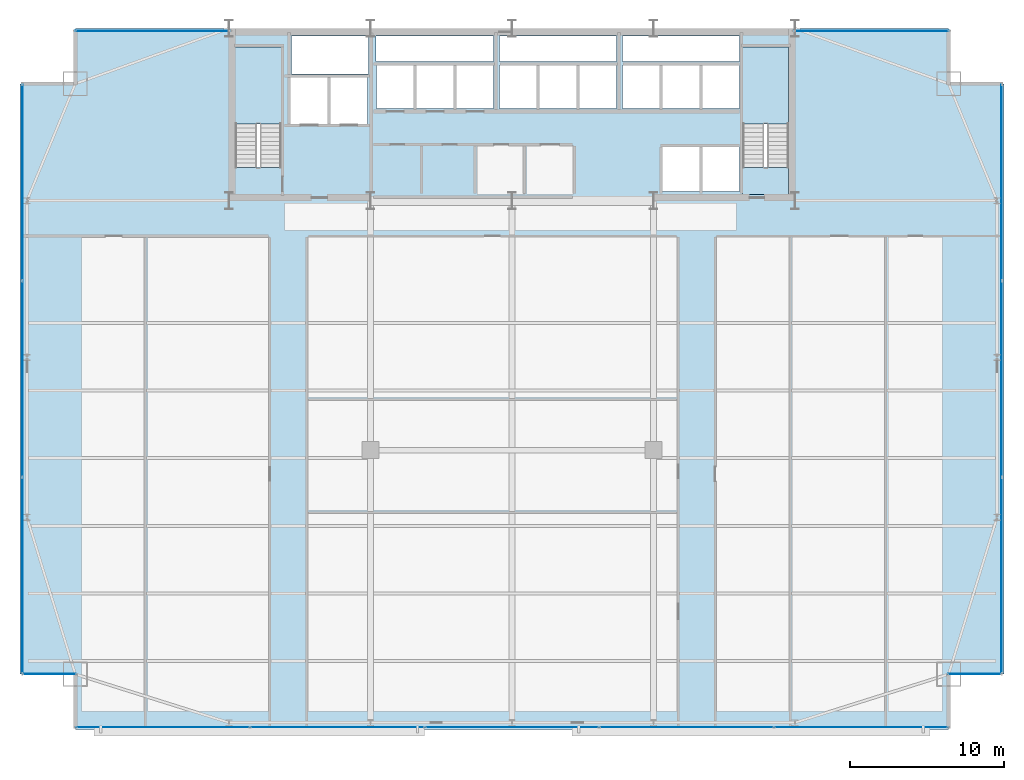
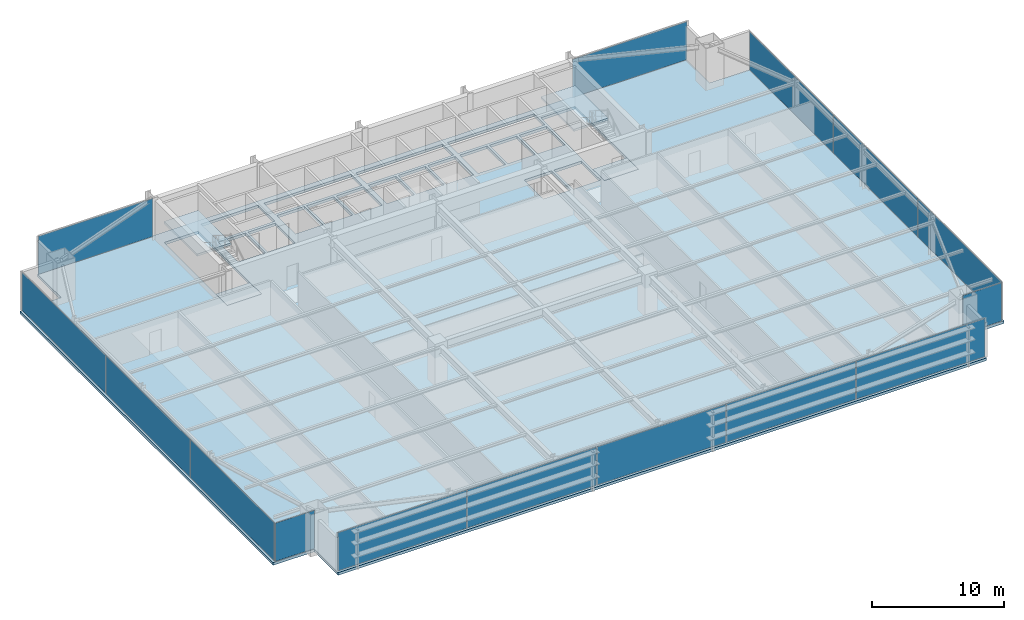
# One storey, part 25 of 32: 15 plates, 5 slabs, 9 elements without a shape of their own.
"""IFC4 building model written with IfcOpenShell, lengths in metres."""

from ifc_helpers import new_model, si_unit, direction, frame, origin, origin_2d, place, context, subcontext, project, spatial, polyline, rectangle, outline, extrude, source, transform, mapped, material, layer, layer_set, type_object, type_shapes, element, aggregate, save


model = new_model("IFC4")

# Units and contexts
model_context = context("Model", 3, precision=1e-05, world=origin(), true_north=direction((0.0, 1.0)))
body_context = subcontext(model_context, "Body", "Model", "MODEL_VIEW")
ifc_project = project(units=[si_unit("LENGTHUNIT", "METRE"), si_unit("AREAUNIT", "SQUARE_METRE"), si_unit("VOLUMEUNIT", "CUBIC_METRE"), si_unit("PLANEANGLEUNIT", "RADIAN"), si_unit("MASSUNIT", "GRAM", prefix="KILO")], contexts=[model_context])

# Site, building, storey
site_placement = place(None, origin())
site = spatial("IfcSite", under=ifc_project, at=site_placement, CompositionType="ELEMENT")
building_placement = place(site_placement, origin())
building = spatial("IfcBuilding", under=site, at=building_placement, Name="Varnel Quay Broadcast Tower", CompositionType="ELEMENT")
storey_placement = place(building_placement, frame((0.0, 0.0, 70.5)))
storey = spatial("IfcBuildingStorey", under=building, at=storey_placement, Name="L16", CompositionType="ELEMENT", Elevation=70.5)

# Slabs
ifc_material_1 = material(Name="Concrete CSA A23.3 C50/60", Category="concrete")
ifc_layer_1 = layer(ifc_material_1, 0.25, Name="Concrete CSA A23.3 C50/60")
ifc_layer_set_1 = layer_set([ifc_layer_1], Name="Concrete CSA A23.3 C50/60")
slab_type_1 = type_object("IfcSlabType", Name="Slab_Floor250", PredefinedType="FLOOR", material=ifc_layer_set_1)
slab_1_placement = place(storey_placement, frame((0.0, 0.0, -0.25)))
element("IfcSlab", 1, at=slab_1_placement, inside=storey, type_object=slab_type_1, Name="L16 Structural Slab", PredefinedType="FLOOR", context=body_context, shape_type="SweptSolid", body=[
    extrude(outline(polyline([(5.60009765625, 1.199951171875), (62.39990234375, 1.199951171875), (62.39990234375, 4.800048828125), (66.0, 4.800048828125), (66.0, 43.199951171875), (62.39990234375, 43.199951171875), (62.39990234375, 46.800048828125), (5.60009765625, 46.800048828125), (5.60009765625, 43.199951171875), (2.0, 43.199951171875), (2.0, 4.800048828125), (5.60009765625, 4.800048828125), (5.60009765625, 1.199951171875)]), holes=[polyline([(16.0, 36.0), (16.0, 45.60009765625), (19.0, 45.60009765625), (19.0, 36.0), (16.0, 36.0)]), polyline([(19.60009765625, 43.60009765625), (22.0, 43.60009765625), (22.0, 40.60009765625), (19.60009765625, 40.60009765625), (19.60009765625, 43.60009765625)]), polyline([(22.199951171875, 43.60009765625), (24.60009765625, 43.60009765625), (24.60009765625, 40.60009765625), (22.199951171875, 40.60009765625), (22.199951171875, 43.60009765625)]), polyline([(25.199951171875, 44.39990234375), (27.60009765625, 44.39990234375), (27.60009765625, 41.60009765625), (25.199951171875, 41.60009765625), (25.199951171875, 44.39990234375)]), polyline([(27.800048828125, 44.39990234375), (30.199951171875, 44.39990234375), (30.199951171875, 41.60009765625), (27.800048828125, 41.60009765625), (27.800048828125, 44.39990234375)]), polyline([(30.39990234375, 44.39990234375), (32.800048828125, 44.39990234375), (32.800048828125, 41.60009765625), (30.39990234375, 41.60009765625), (30.39990234375, 44.39990234375)]), polyline([(33.199951171875, 44.39990234375), (35.60009765625, 44.39990234375), (35.60009765625, 41.60009765625), (33.199951171875, 41.60009765625), (33.199951171875, 44.39990234375)]), polyline([(38.199951171875, 44.39990234375), (38.199951171875, 41.60009765625), (35.800048828125, 41.60009765625), (35.800048828125, 44.39990234375), (38.199951171875, 44.39990234375)]), polyline([(24.679931640625, 46.300048828125), (24.679931640625, 43.85009765625), (19.64990234375, 43.85009765625), (19.64990234375, 46.300048828125), (24.679931640625, 46.300048828125)]), polyline([(25.14990234375, 46.300048828125), (32.800048828125, 46.300048828125), (32.800048828125, 44.64990234375), (25.14990234375, 44.64990234375), (25.14990234375, 46.300048828125)]), polyline([(43.800048828125, 39.10009765625), (46.199951171875, 39.10009765625), (46.199951171875, 36.199951171875), (43.800048828125, 36.199951171875), (43.800048828125, 39.10009765625)]), polyline([(46.39990234375, 39.10009765625), (48.800048828125, 39.10009765625), (48.800048828125, 36.199951171875), (46.39990234375, 36.199951171875), (46.39990234375, 39.10009765625)]), polyline([(49.0, 45.60009765625), (52.0, 45.60009765625), (52.0, 36.0), (49.0, 36.0), (49.0, 45.60009765625)]), polyline([(40.800048828125, 44.39990234375), (40.800048828125, 41.60009765625), (38.39990234375, 41.60009765625), (38.39990234375, 44.39990234375), (40.800048828125, 44.39990234375)]), polyline([(41.199951171875, 44.39990234375), (43.60009765625, 44.39990234375), (43.60009765625, 41.60009765625), (41.199951171875, 41.60009765625), (41.199951171875, 44.39990234375)]), polyline([(43.800048828125, 44.39990234375), (46.199951171875, 44.39990234375), (46.199951171875, 41.60009765625), (43.800048828125, 41.60009765625), (43.800048828125, 44.39990234375)]), polyline([(46.39990234375, 44.39990234375), (48.800048828125, 44.39990234375), (48.800048828125, 41.60009765625), (46.39990234375, 41.60009765625), (46.39990234375, 44.39990234375)]), polyline([(40.800048828125, 46.300048828125), (40.800048828125, 44.64990234375), (33.199951171875, 44.64990234375), (33.199951171875, 46.300048828125), (40.800048828125, 46.300048828125)]), polyline([(48.800048828125, 46.300048828125), (48.800048828125, 44.64990234375), (41.199951171875, 44.64990234375), (41.199951171875, 46.300048828125), (48.800048828125, 46.300048828125)])]), origin(), (0.0, 0.0, 1.0), 0.25),
])
ifc_layer_2 = layer(ifc_material_1, 0.25, Name="Concrete CSA A23.3 C50/60")
ifc_layer_set_2 = layer_set([ifc_layer_2], Name="Concrete CSA A23.3 C50/60")
slab_type_2 = type_object("IfcSlabType", Name="Slab_StairFloorLanding250", PredefinedType="FLOOR", material=ifc_layer_set_2)
slab_2_placement = place(storey_placement, frame((0.0, 0.0, -0.25)))
element("IfcSlab", 2, at=slab_2_placement, inside=storey, type_object=slab_type_2, Name="L16 ST-01 Structural Floor Landing Slab", PredefinedType="FLOOR", context=body_context, shape_type="SweptSolid", body=[
    extrude(outline(polyline([(19.0, 36.0), (19.0, 37.75), (16.0, 37.75), (16.0, 36.0), (19.0, 36.0)])), origin(), (0.0, 0.0, 1.0), 0.25),
])
slab_3_placement = place(storey_placement, frame((0.0, 0.0, -0.25)))
element("IfcSlab", 3, at=slab_3_placement, inside=storey, type_object=slab_type_2, Name="L16 ST-02 Structural Floor Landing Slab", PredefinedType="FLOOR", context=body_context, shape_type="SweptSolid", body=[
    extrude(outline(polyline([(52.0, 36.0), (52.0, 37.75), (49.0, 37.75), (49.0, 36.0), (52.0, 36.0)])), origin(), (0.0, 0.0, 1.0), 0.25),
])

# Stair, slab
ifc_material_2 = material(Name="Precast Structural Concrete C40/50", Category="concrete")
stair_type_1 = type_object("IfcStairType", Name="Stair_ST-01", PredefinedType="HALF_TURN_STAIR", material=ifc_material_2)
stair_1_placement = place(storey_placement, origin())
stair_1 = element("IfcStair", 4, at=stair_1_placement, inside=storey, type_object=stair_type_1, Name="L16 West Core Exit Stair 1", PredefinedType="HALF_TURN_STAIR")
ifc_layer_3 = layer(ifc_material_2, 0.199951171875, Name="Precast Structural Concrete C40/50")
ifc_layer_set_3 = layer_set([ifc_layer_3], Name="Precast Structural Concrete C40/50")
slab_type_3 = type_object("IfcSlabType", Name="Slab_StairLanding200", PredefinedType="LANDING", material=ifc_layer_set_3)
slab_4_placement = place(storey_placement, frame((0.0, 0.0, 1.75)))
slab_4 = element("IfcSlab", 5, at=slab_4_placement, type_object=slab_type_3, Name="ST-01 landing 1", PredefinedType="LANDING", context=body_context, shape_type="SweptSolid", body=[
    extrude(outline(polyline([(19.0, 40.60009765625), (19.0, 45.60009765625), (16.0, 45.60009765625), (16.0, 40.60009765625), (19.0, 40.60009765625)])), origin(), (0.0, 0.0, 1.0), 0.199951171875),
])
aggregate(stair_1, [slab_4])

stair_type_2 = type_object("IfcStairType", Name="Stair_ST-02", PredefinedType="HALF_TURN_STAIR", material=ifc_material_2)
stair_2_placement = place(storey_placement, origin())
stair_2 = element("IfcStair", 6, at=stair_2_placement, inside=storey, type_object=stair_type_2, Name="L16 East Core Exit Stair 2", PredefinedType="HALF_TURN_STAIR")
slab_5_placement = place(storey_placement, frame((0.0, 0.0, 1.75)))
slab_5 = element("IfcSlab", 7, at=slab_5_placement, type_object=slab_type_3, Name="ST-02 landing 1", PredefinedType="LANDING", context=body_context, shape_type="SweptSolid", body=[
    extrude(outline(polyline([(52.0, 40.60009765625), (52.0, 45.60009765625), (49.0, 45.60009765625), (49.0, 40.60009765625), (52.0, 40.60009765625)])), origin(), (0.0, 0.0, 1.0), 0.199951171875),
])
aggregate(stair_2, [slab_5])

# Curtain wall, plate
ifc_material_3 = material(Name="Anodised Bronze Aluminium 6063-T6", Category="aluminium")
ifc_layer_4 = layer(ifc_material_3, 0.18994140625, Name="Anodised Bronze Aluminium 6063-T6")
ifc_layer_set_4 = layer_set([ifc_layer_4], Name="Anodised Bronze Aluminium 6063-T6")
curtain_wall_type_1 = type_object("IfcCurtainWallType", Name="CW_LowerTower", PredefinedType="NOTDEFINED", material=ifc_layer_set_4)
curtain_wall_1_placement = place(storey_placement, origin())
curtain_wall_1 = element("IfcCurtainWall", 8, at=curtain_wall_1_placement, inside=storey, type_object=curtain_wall_type_1, Name="L16 West Unitised Curtain Wall", PredefinedType="NOTDEFINED")
ifc_material_4 = material(Name="Insulated Bronze Spandrel Glass", Category="glass")
ifc_layer_5 = layer(ifc_material_4, 0.031982421875, Name="Insulated Bronze Spandrel Glass")
ifc_layer_set_5 = layer_set([ifc_layer_5], Name="Insulated Bronze Spandrel Glass")
plate_type_1 = type_object("IfcPlateType", Name="PanelSp_CWS-02", PredefinedType="CURTAIN_PANEL", material=ifc_layer_set_5)
shared_shape_1 = source(origin(), body_context, "Body", "SweptSolid", [
    extrude(rectangle(XDim=12.72998046875, YDim=0.031982421875, at=origin_2d()), origin(), (0.0, 0.0, 1.0), 3.530029296875),
])
plate_1_placement = place(storey_placement, frame((2.14990234375, 24.0, 0.06005859375), z_axis=(0.0, 0.0, 1.0), x_axis=(0.0, 1.0, 0.0)))
plate_1 = element("IfcPlate", 9, at=plate_1_placement, type_object=plate_type_1, Name="CWS-02 panel 2.1", PredefinedType="CURTAIN_PANEL", context=body_context, shape_type="MappedRepresentation", body=[
    mapped(shared_shape_1, transform((0.0, 0.0, 0.0), x_axis=(1.0, 0.0, 0.0), y_axis=(0.0, 1.0, 0.0), z_axis=(0.0, 0.0, 1.0), scale=1.0)),
])

curtain_wall_2_placement = place(storey_placement, origin())
curtain_wall_2 = element("IfcCurtainWall", 10, at=curtain_wall_2_placement, inside=storey, type_object=curtain_wall_type_1, Name="L16 East Unitised Curtain Wall", PredefinedType="NOTDEFINED")
plate_2_placement = place(storey_placement, frame((65.85009765625, 24.0, 0.06005859375), z_axis=(0.0, 0.0, 1.0), x_axis=(0.0, 1.0, 0.0)))
plate_2 = element("IfcPlate", 11, at=plate_2_placement, type_object=plate_type_1, Name="CWS-02 panel 2.1", PredefinedType="CURTAIN_PANEL", context=body_context, shape_type="MappedRepresentation", body=[
    mapped(shared_shape_1, transform((0.0, 0.0, 0.0), x_axis=(1.0, 0.0, 0.0), y_axis=(0.0, 1.0, 0.0), z_axis=(0.0, 0.0, 1.0), scale=1.0)),
])

ifc_layer_6 = layer(ifc_material_3, 0.18994140625, Name="Anodised Bronze Aluminium 6063-T6")
ifc_layer_set_6 = layer_set([ifc_layer_6], Name="Anodised Bronze Aluminium 6063-T6")
curtain_wall_type_2 = type_object("IfcCurtainWallType", Name="CW_NotchCorner", PredefinedType="NOTDEFINED", material=ifc_layer_set_6)
curtain_wall_3_placement = place(storey_placement, origin())
curtain_wall_3 = element("IfcCurtainWall", 12, at=curtain_wall_3_placement, inside=storey, type_object=curtain_wall_type_2, Name="L16 SW Notch Curtain Wall", PredefinedType="NOTDEFINED")
ifc_material_5 = material(Name="Triple-Glazed Bronze Low-E Architectural Glass", Category="glass")
ifc_layer_7 = layer(ifc_material_5, 0.028076171875, Name="Triple-Glazed Bronze Low-E Architectural Glass")
ifc_layer_set_7 = layer_set([ifc_layer_7], Name="Triple-Glazed Bronze Low-E Architectural Glass")
plate_type_2 = type_object("IfcPlateType", Name="Panel_CWS-04", PredefinedType="CURTAIN_PANEL", material=ifc_layer_set_7)
shared_shape_2 = source(origin(), body_context, "Body", "SweptSolid", [
    extrude(rectangle(XDim=3.409912109375, YDim=0.028076171875, at=origin_2d()), origin(), (0.0, 0.0, 1.0), 3.5400390625),
])
type_shapes(plate_type_2, [shared_shape_2])
plate_3_placement = place(storey_placement, frame((3.9150390625, 4.800048828125, 0.054931640625), z_axis=(0.0, 0.0, 1.0), x_axis=(1.0, 0.0, 0.0)))
plate_3 = element("IfcPlate", 13, at=plate_3_placement, type_object=plate_type_2, Name="CWS-04 panel 1.1", PredefinedType="CURTAIN_PANEL", context=body_context, shape_type="MappedRepresentation", body=[
    mapped(shared_shape_2, transform((0.0, 0.0, 0.0), x_axis=(1.0, 0.0, 0.0), y_axis=(0.0, 1.0, 0.0), z_axis=(0.0, 0.0, 1.0), scale=1.0)),
])
aggregate(curtain_wall_3, [plate_3])

curtain_wall_4_placement = place(storey_placement, origin())
curtain_wall_4 = element("IfcCurtainWall", 14, at=curtain_wall_4_placement, inside=storey, type_object=curtain_wall_type_2, Name="L16 SE Notch Curtain Wall", PredefinedType="NOTDEFINED")
plate_4_placement = place(storey_placement, frame((64.0849609375, 4.800048828125, 0.054931640625), z_axis=(0.0, 0.0, 1.0), x_axis=(1.0, 0.0, 0.0)))
plate_4 = element("IfcPlate", 15, at=plate_4_placement, type_object=plate_type_2, Name="CWS-04 panel 1.1", PredefinedType="CURTAIN_PANEL", context=body_context, shape_type="MappedRepresentation", body=[
    mapped(shared_shape_2, transform((0.0, 0.0, 0.0), x_axis=(1.0, 0.0, 0.0), y_axis=(0.0, 1.0, 0.0), z_axis=(0.0, 0.0, 1.0), scale=1.0)),
])
aggregate(curtain_wall_4, [plate_4])

curtain_wall_5_placement = place(storey_placement, origin())
curtain_wall_5 = element("IfcCurtainWall", 16, at=curtain_wall_5_placement, inside=storey, type_object=curtain_wall_type_1, Name="L16 NW Wing Curtain Wall", PredefinedType="NOTDEFINED")
ifc_layer_8 = layer(ifc_material_5, 0.031982421875, Name="Triple-Glazed Bronze Low-E Architectural Glass")
ifc_layer_set_8 = layer_set([ifc_layer_8], Name="Triple-Glazed Bronze Low-E Architectural Glass")
plate_type_3 = type_object("IfcPlateType", Name="Panel_CWS-02", PredefinedType="CURTAIN_PANEL", material=ifc_layer_set_8)
shared_shape_3 = source(origin(), body_context, "Body", "SweptSolid", [
    extrude(rectangle(XDim=10.0400390625, YDim=0.031982421875, at=origin_2d()), origin(), (0.0, 0.0, 1.0), 3.530029296875),
])
plate_5_placement = place(storey_placement, frame((10.610107421875, 46.64990234375, 0.06005859375), z_axis=(0.0, 0.0, 1.0), x_axis=(1.0, 0.0, 0.0)))
plate_5 = element("IfcPlate", 17, at=plate_5_placement, type_object=plate_type_3, Name="CWS-02 panel 1.1", PredefinedType="CURTAIN_PANEL", context=body_context, shape_type="MappedRepresentation", body=[
    mapped(shared_shape_3, transform((0.0, 0.0, 0.0), x_axis=(1.0, 0.0, 0.0), y_axis=(0.0, 1.0, 0.0), z_axis=(0.0, 0.0, 1.0), scale=1.0)),
])
aggregate(curtain_wall_5, [plate_5])

curtain_wall_6_placement = place(storey_placement, origin())
curtain_wall_6 = element("IfcCurtainWall", 18, at=curtain_wall_6_placement, inside=storey, type_object=curtain_wall_type_1, Name="L16 NE Wing Curtain Wall", PredefinedType="NOTDEFINED")
plate_6_placement = place(storey_placement, frame((57.389892578125, 46.64990234375, 0.06005859375), z_axis=(0.0, 0.0, 1.0), x_axis=(1.0, 0.0, 0.0)))
plate_6 = element("IfcPlate", 19, at=plate_6_placement, type_object=plate_type_3, Name="CWS-02 panel 1.1", PredefinedType="CURTAIN_PANEL", context=body_context, shape_type="MappedRepresentation", body=[
    mapped(shared_shape_3, transform((0.0, 0.0, 0.0), x_axis=(1.0, 0.0, 0.0), y_axis=(0.0, 1.0, 0.0), z_axis=(0.0, 0.0, 1.0), scale=1.0)),
])
aggregate(curtain_wall_6, [plate_6])

# Curtain wall, plates
curtain_wall_7_placement = place(storey_placement, origin())
curtain_wall_7 = element("IfcCurtainWall", 20, at=curtain_wall_7_placement, inside=storey, type_object=curtain_wall_type_1, Name="L16 South Unitised Curtain Wall 1", PredefinedType="NOTDEFINED")
shared_shape_4 = source(origin(), body_context, "Body", "SweptSolid", [
    extrude(rectangle(XDim=11.2548828125, YDim=0.031982421875, at=origin_2d()), origin(), (0.0, 0.0, 1.0), 3.530029296875),
])
plate_7_placement = place(storey_placement, frame((11.297607421875, 1.35009765625, 0.06005859375), z_axis=(0.0, 0.0, 1.0), x_axis=(1.0, 0.0, 0.0)))
plate_7 = element("IfcPlate", 21, at=plate_7_placement, type_object=plate_type_3, Name="CWS-02 panel 1.1", PredefinedType="CURTAIN_PANEL", context=body_context, shape_type="MappedRepresentation", body=[
    mapped(shared_shape_4, transform((0.0, 0.0, 0.0), x_axis=(1.0, 0.0, 0.0), y_axis=(0.0, 1.0, 0.0), z_axis=(0.0, 0.0, 1.0), scale=1.0)),
])
plate_8_placement = place(storey_placement, frame((56.702392578125, 1.35009765625, 0.06005859375), z_axis=(0.0, 0.0, 1.0), x_axis=(1.0, 0.0, 0.0)))
plate_8 = element("IfcPlate", 22, at=plate_8_placement, type_object=plate_type_3, Name="CWS-02 panel 5.1", PredefinedType="CURTAIN_PANEL", context=body_context, shape_type="MappedRepresentation", body=[
    mapped(shared_shape_4, transform((0.0, 0.0, 0.0), x_axis=(1.0, 0.0, 0.0), y_axis=(0.0, 1.0, 0.0), z_axis=(0.0, 0.0, 1.0), scale=1.0)),
])
shared_shape_5 = source(origin(), body_context, "Body", "SweptSolid", [
    extrude(rectangle(XDim=11.2900390625, YDim=0.031982421875, at=origin_2d()), origin(), (0.0, 0.0, 1.0), 3.530029296875),
])
type_shapes(plate_type_1, [shared_shape_1, shared_shape_5])
plate_9_placement = place(storey_placement, frame((22.639892578125, 1.35009765625, 0.06005859375), z_axis=(0.0, 0.0, 1.0), x_axis=(1.0, 0.0, 0.0)))
plate_9 = element("IfcPlate", 23, at=plate_9_placement, type_object=plate_type_1, Name="CWS-02 panel 2.1", PredefinedType="CURTAIN_PANEL", context=body_context, shape_type="MappedRepresentation", body=[
    mapped(shared_shape_5, transform((0.0, 0.0, 0.0), x_axis=(1.0, 0.0, 0.0), y_axis=(0.0, 1.0, 0.0), z_axis=(0.0, 0.0, 1.0), scale=1.0)),
])
plate_10_placement = place(storey_placement, frame((34.0, 1.35009765625, 0.06005859375), z_axis=(0.0, 0.0, 1.0), x_axis=(1.0, 0.0, 0.0)))
plate_10 = element("IfcPlate", 24, at=plate_10_placement, type_object=plate_type_1, Name="CWS-02 panel 3.1", PredefinedType="CURTAIN_PANEL", context=body_context, shape_type="MappedRepresentation", body=[
    mapped(shared_shape_5, transform((0.0, 0.0, 0.0), x_axis=(1.0, 0.0, 0.0), y_axis=(0.0, 1.0, 0.0), z_axis=(0.0, 0.0, 1.0), scale=1.0)),
])
plate_11_placement = place(storey_placement, frame((45.360107421875, 1.35009765625, 0.06005859375), z_axis=(0.0, 0.0, 1.0), x_axis=(1.0, 0.0, 0.0)))
plate_11 = element("IfcPlate", 25, at=plate_11_placement, type_object=plate_type_1, Name="CWS-02 panel 4.1", PredefinedType="CURTAIN_PANEL", context=body_context, shape_type="MappedRepresentation", body=[
    mapped(shared_shape_5, transform((0.0, 0.0, 0.0), x_axis=(1.0, 0.0, 0.0), y_axis=(0.0, 1.0, 0.0), z_axis=(0.0, 0.0, 1.0), scale=1.0)),
])
aggregate(curtain_wall_7, [plate_7, plate_9, plate_10, plate_11, plate_8])

# Plate
shared_shape_6 = source(origin(), body_context, "Body", "SweptSolid", [
    extrude(rectangle(XDim=12.695068359375, YDim=0.031982421875, at=origin_2d()), origin(), (0.0, 0.0, 1.0), 3.530029296875),
])
type_shapes(plate_type_3, [shared_shape_3, shared_shape_4, shared_shape_6])
plate_12_placement = place(storey_placement, frame((2.14990234375, 11.217529296875, 0.06005859375), z_axis=(0.0, 0.0, 1.0), x_axis=(0.0, 1.0, 0.0)))
plate_12 = element("IfcPlate", 26, at=plate_12_placement, type_object=plate_type_3, Name="CWS-02 panel 1.1", PredefinedType="CURTAIN_PANEL", context=body_context, shape_type="MappedRepresentation", body=[
    mapped(shared_shape_6, transform((0.0, 0.0, 0.0), x_axis=(1.0, 0.0, 0.0), y_axis=(0.0, 1.0, 0.0), z_axis=(0.0, 0.0, 1.0), scale=1.0)),
])

plate_13_placement = place(storey_placement, frame((2.14990234375, 36.782470703125, 0.06005859375), z_axis=(0.0, 0.0, 1.0), x_axis=(0.0, 1.0, 0.0)))
plate_13 = element("IfcPlate", 27, at=plate_13_placement, type_object=plate_type_3, Name="CWS-02 panel 3.1", PredefinedType="CURTAIN_PANEL", context=body_context, shape_type="MappedRepresentation", body=[
    mapped(shared_shape_6, transform((0.0, 0.0, 0.0), x_axis=(1.0, 0.0, 0.0), y_axis=(0.0, 1.0, 0.0), z_axis=(0.0, 0.0, 1.0), scale=1.0)),
])

aggregate(curtain_wall_1, [plate_12, plate_1, plate_13])

plate_14_placement = place(storey_placement, frame((65.85009765625, 11.217529296875, 0.06005859375), z_axis=(0.0, 0.0, 1.0), x_axis=(0.0, 1.0, 0.0)))
plate_14 = element("IfcPlate", 28, at=plate_14_placement, type_object=plate_type_3, Name="CWS-02 panel 1.1", PredefinedType="CURTAIN_PANEL", context=body_context, shape_type="MappedRepresentation", body=[
    mapped(shared_shape_6, transform((0.0, 0.0, 0.0), x_axis=(1.0, 0.0, 0.0), y_axis=(0.0, 1.0, 0.0), z_axis=(0.0, 0.0, 1.0), scale=1.0)),
])

plate_15_placement = place(storey_placement, frame((65.85009765625, 36.782470703125, 0.06005859375), z_axis=(0.0, 0.0, 1.0), x_axis=(0.0, 1.0, 0.0)))
plate_15 = element("IfcPlate", 29, at=plate_15_placement, type_object=plate_type_3, Name="CWS-02 panel 3.1", PredefinedType="CURTAIN_PANEL", context=body_context, shape_type="MappedRepresentation", body=[
    mapped(shared_shape_6, transform((0.0, 0.0, 0.0), x_axis=(1.0, 0.0, 0.0), y_axis=(0.0, 1.0, 0.0), z_axis=(0.0, 0.0, 1.0), scale=1.0)),
])

aggregate(curtain_wall_2, [plate_14, plate_2, plate_15])

save(model, "model.ifc")
